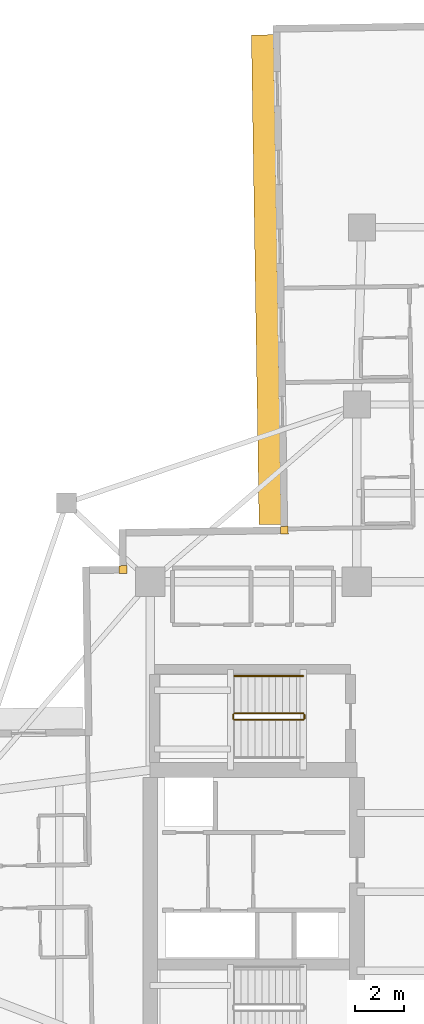
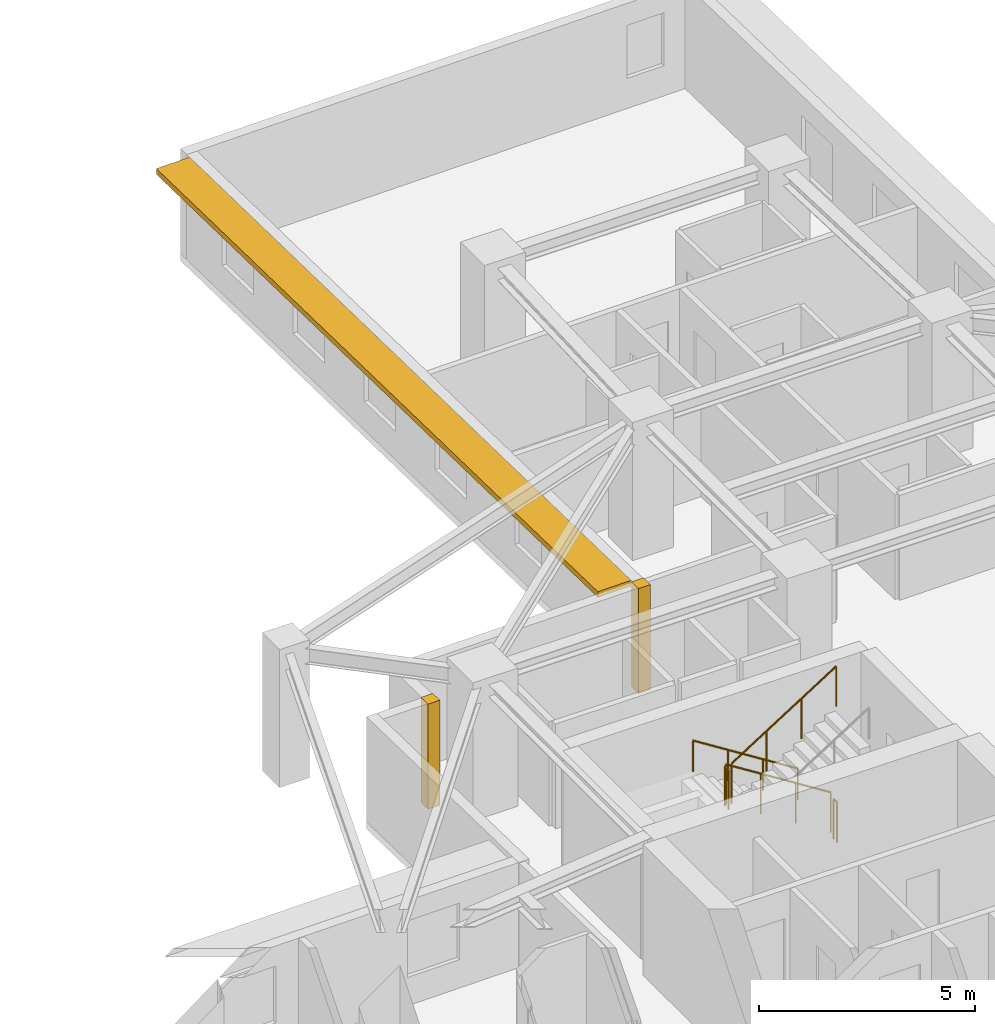
# One storey, part 13 of 14: 5 railings, 2 coverings, 1 shading device.
"""IFC4 building model written with IfcOpenShell, lengths in metres."""

import ifcopenshell
import ifcopenshell.guid

model = None  # the IFC model being written
_history = None  # IfcOwnerHistory: only IFC2X3 demands one
_inside = {}  # id of a spatial element -> (the spatial element, [elements in it])
_under = {}  # id of a project, library or spatial element -> (it, [spatial elements below it])
_declared = {}  # id of a project -> (the project, [libraries it declares])
_typed = {}  # id of a type object -> (the type object, [elements of that type])
_made_of = {}  # id of a material, layer set ... -> (it, [elements and type objects made of it])


def new_model(schema):
    """Start an empty IFC model of exactly this schema.

    Asked for "IFC4X3", IfcOpenShell would pick the latest addendum, in which some entities
    have other attributes; the version numbers below select the first issue.
    IFC2X3 requires an IfcOwnerHistory on every rooted entity: one is made here for all.
    """
    global model, _history
    if schema == "IFC4X3":
        model = ifcopenshell.file(schema_version=(4, 3, 0, 0))
    else:
        model = ifcopenshell.file(schema=schema)
    _inside.clear()
    _under.clear()
    _declared.clear()
    _typed.clear()
    _made_of.clear()
    _history = None
    if model.schema == "IFC2X3":
        org = make("IfcOrganization", Name="unknown")
        user = make(
            "IfcPersonAndOrganization",
            ThePerson=make("IfcPerson", FamilyName="unknown"),
            TheOrganization=org,
        )
        app = make(
            "IfcApplication",
            ApplicationDeveloper=org,
            Version="unknown",
            ApplicationFullName="unknown",
            ApplicationIdentifier="unknown",
        )
        _history = make(
            "IfcOwnerHistory",
            OwningUser=user,
            OwningApplication=app,
            ChangeAction="ADDED",
            CreationDate=0,
        )
    return model


def make(cls, **values):
    """One entity of the class cls with the attributes given. An attribute that is None is left unset."""
    return model.create_entity(
        cls, **{name: value for name, value in values.items() if value is not None}
    )


def rooted(cls, **values):
    """An entity with a GlobalId (a new one), such as an element, a storey or a relation."""
    return make(cls, GlobalId=ifcopenshell.guid.new(), OwnerHistory=_history, **values)


def si_unit(unit_type, name, prefix=None):
    """IfcSIUnit, for example si_unit("LENGTHUNIT", "METRE", prefix="MILLI")."""
    return make("IfcSIUnit", UnitType=unit_type, Prefix=prefix, Name=name)


def assignment(units):
    """IfcUnitAssignment: the units of a project."""
    return None if units is None else make("IfcUnitAssignment", Units=units)


def point(xyz):
    """IfcCartesianPoint."""
    return None if xyz is None else make("IfcCartesianPoint", Coordinates=xyz)


def direction(xyz):
    """IfcDirection."""
    return None if xyz is None else make("IfcDirection", DirectionRatios=xyz)


def frame(location, z_axis=None, x_axis=None):
    """IfcAxis2Placement3D, a coordinate frame: its origin and axes. An axis left out is left unset."""
    return make(
        "IfcAxis2Placement3D",
        Location=point(location),
        Axis=direction(z_axis),
        RefDirection=direction(x_axis),
    )


def frame_2d(location, x_axis=None):
    """IfcAxis2Placement2D, a coordinate frame in the plane: its origin and x axis."""
    return make(
        "IfcAxis2Placement2D", Location=point(location), RefDirection=direction(x_axis)
    )


def origin():
    """The frame at (0, 0, 0) with its axes left unset."""
    return frame((0.0, 0.0, 0.0))


def origin_2d():
    """The frame at (0, 0) in the plane with its x axis left unset."""
    return frame_2d((0.0, 0.0))


def place(relative_to, where):
    """IfcLocalPlacement: puts the frame where relative to a parent placement (None: the world)."""
    return make(
        "IfcLocalPlacement", PlacementRelTo=relative_to, RelativePlacement=where
    )


def context(
    kind, dimensions, precision=None, world=None, true_north=None, identifier=None
):
    """IfcGeometricRepresentationContext, for example the 3D "Model" context."""
    return make(
        "IfcGeometricRepresentationContext",
        ContextIdentifier=identifier,
        ContextType=kind,
        CoordinateSpaceDimension=dimensions,
        Precision=precision,
        WorldCoordinateSystem=world,
        TrueNorth=true_north,
    )


def subcontext(parent, identifier, kind, view, scale=None):
    """IfcGeometricRepresentationSubContext, for example "Body" below "Model"."""
    return make(
        "IfcGeometricRepresentationSubContext",
        ContextIdentifier=identifier,
        ContextType=kind,
        ParentContext=parent,
        TargetScale=scale,
        TargetView=view,
    )


def project(units=None, contexts=None):
    """IfcProject with its units and contexts."""
    return rooted(
        "IfcProject",
        Name="project",
        RepresentationContexts=contexts,
        UnitsInContext=assignment(units),
    )


def spatial(cls, under=None, at=None, **own):
    """A site, building, storey or space (cls), placed at a placement, below another one or the project."""
    s = rooted(cls, ObjectPlacement=at, **own)
    if under is not None:
        _under.setdefault(under.id(), (under, []))[1].append(s)
    return s


def profile(cls, at=None, kind="AREA", **sizes):
    """A parametric profile (cls). Its sizes go by their IFC names, for example OverallWidth=200.0."""
    return make(cls, ProfileType=kind, Position=at, **sizes)


def rectangle(**sizes):
    """IfcRectangleProfileDef."""
    return profile("IfcRectangleProfileDef", **sizes)


def circle(**sizes):
    """IfcCircleProfileDef."""
    return profile("IfcCircleProfileDef", **sizes)


def extrude(swept, where, along, depth):
    """IfcExtrudedAreaSolid: the profile swept, set in the frame where, extruded along a direction by depth."""
    return make(
        "IfcExtrudedAreaSolid",
        SweptArea=swept,
        Position=where,
        ExtrudedDirection=direction(along),
        Depth=depth,
    )


def shape(context_of_items, identifier, shape_type, items):
    """IfcShapeRepresentation: the items that make up one representation, for example the "Body"."""
    return make(
        "IfcShapeRepresentation",
        ContextOfItems=context_of_items,
        RepresentationIdentifier=identifier,
        RepresentationType=shape_type,
        Items=items,
    )


def material(Name=None, Category=None):
    """IfcMaterial."""
    return make("IfcMaterial", Name=Name, Category=Category)


def layer(
    of_material, thickness, ventilated=None, Name=None, Category=None, Priority=None
):
    """IfcMaterialLayer: one layer of a wall or slab, of a material (None: an air gap)."""
    return make(
        "IfcMaterialLayer",
        Material=of_material,
        LayerThickness=thickness,
        IsVentilated=ventilated,
        Name=Name,
        Category=Category,
        Priority=Priority,
    )


def layer_set(layers, Name=None):
    """IfcMaterialLayerSet."""
    return make("IfcMaterialLayerSet", MaterialLayers=layers, LayerSetName=Name)


def made_of(thing, what):
    """Note that an element or type object is made of a material, layer set ...; save() writes the relation."""
    if what is not None:
        _made_of.setdefault(what.id(), (what, []))[1].append(thing)
    return thing


def type_object(cls, material=None, **own):
    """A type object (cls), such as IfcWallType, which elements share."""
    return made_of(rooted(cls, **own), material)


def element(
    cls,
    number,
    at=None,
    inside=None,
    cuts=None,
    type_object=None,
    material=None,
    context=None,
    identifier="Body",
    shape_type=None,
    held_by="IfcProductDefinitionShape",
    body=None,
    shapes=None,
    **own,
):
    """One element of the class cls, such as IfcWall. Its Tag is "e" and its number.

    at: its placement. inside: the storey or other place that contains it. cuts: it is an
    opening in that element (IfcRelVoidsElement). A single representation is given by context,
    identifier, shape_type and body (its items); several are given by shapes. held_by: the class
    of the entity that holds the representations. save() writes the other relations.
    """
    e = rooted(cls, Tag="e%d" % number, ObjectPlacement=at, **own)
    if body is not None:
        shapes = [shape(context, identifier, shape_type, body)]
    if shapes is not None:
        e.Representation = make(held_by, Representations=shapes)
    if inside is not None:
        _inside.setdefault(inside.id(), (inside, []))[1].append(e)
    if cuts is not None:
        rooted(
            "IfcRelVoidsElement", RelatingBuildingElement=cuts, RelatedOpeningElement=e
        )
    if type_object is not None:
        _typed.setdefault(type_object.id(), (type_object, []))[1].append(e)
    return made_of(e, material)


def aggregate(whole, parts):
    """IfcRelAggregates: a whole, such as a stair, and the parts it consists of."""
    return rooted("IfcRelAggregates", RelatingObject=whole, RelatedObjects=parts)


def save(model, path):
    """Write the relations noted so far, then the file.

    IfcRelAggregates (storeys below a building ...), IfcRelContainedInSpatialStructure (elements
    in a storey), IfcRelDefinesByType, IfcRelAssociatesMaterial and IfcRelDeclares: one each for
    every whole, place, type object, material and project.
    """
    for whole, parts in _under.values():
        aggregate(whole, parts)
    for where, things in _inside.values():
        rooted(
            "IfcRelContainedInSpatialStructure",
            RelatedElements=things,
            RelatingStructure=where,
        )
    for kind, things in _typed.values():
        rooted("IfcRelDefinesByType", RelatedObjects=things, RelatingType=kind)
    for what, things in _made_of.values():
        rooted("IfcRelAssociatesMaterial", RelatedObjects=things, RelatingMaterial=what)
    for by, libraries in _declared.values():
        rooted("IfcRelDeclares", RelatingContext=by, RelatedDefinitions=libraries)
    model.write(path)


model = new_model("IFC4")

# Units and contexts
model_context = context("Model", 3, precision=1e-05, world=origin(), true_north=direction((0.0, 1.0)))
body_context = subcontext(model_context, "Body", "Model", "MODEL_VIEW")
ifc_project = project(units=[si_unit("LENGTHUNIT", "METRE"), si_unit("AREAUNIT", "SQUARE_METRE"), si_unit("VOLUMEUNIT", "CUBIC_METRE"), si_unit("PLANEANGLEUNIT", "RADIAN"), si_unit("MASSUNIT", "GRAM", prefix="KILO")], contexts=[model_context])

# Site, building, storey
site_placement = place(None, origin())
site = spatial("IfcSite", under=ifc_project, at=site_placement, CompositionType="ELEMENT")
building_placement = place(site_placement, origin())
building = spatial("IfcBuilding", under=site, at=building_placement, Name="Qingluan Cross Belvedere", CompositionType="ELEMENT")
storey_placement = place(building_placement, frame((0.0, 0.0, 108.60009765625)))
storey = spatial("IfcBuildingStorey", under=building, at=storey_placement, Name="L27", CompositionType="ELEMENT", Elevation=108.60009765625)

# Coverings
ifc_material_1 = material(Name="Precast concrete C45", Category="concrete")
ifc_layer_1 = layer(ifc_material_1, 0.1201171875, Name="ConcreteSpandrelCladding_120")
ifc_layer_set_1 = layer_set([ifc_layer_1], Name="Precast concrete C45")
covering_type = type_object("IfcCoveringType", Name="ConcreteSpandrelCladding_120", PredefinedType="CLADDING", material=ifc_layer_set_1)
for number, where, z_axis, x_axis, name in (
    (1, (-13.50732421875, 13.089599609375, 0.0), (0.0, 0.0, 1.0), (0.999876632482, 0.015707317312, 0.0), "Corner closure L27-NW1"),
    (2, (-6.95166015625, 14.692626953125, 0.0), (0.0, 0.0, 1.0), (0.999876632482, 0.015707317312, 0.0), "Corner closure L27-NW2"),
):
    element("IfcCovering", number, at=place(storey_placement, frame(where, z_axis=z_axis, x_axis=x_axis)), inside=storey, type_object=covering_type, Name=name, PredefinedType="CLADDING", context=body_context, shape_type="SweptSolid", body=[
        extrude(rectangle(XDim=0.320068359375, YDim=0.320068359375, at=origin_2d()), origin(), (0.0, 0.0, 1.0), 2.969970703125),
    ])

# Shading device
ifc_material_2 = material(Name="Precast concrete C45", Category="concrete")
ifc_layer_2 = layer(ifc_material_2, 0.159912109375, Name="ConcreteSunshadeBand_900")
ifc_layer_set_2 = layer_set([ifc_layer_2], Name="Precast concrete C45")
shading_device_type = type_object("IfcShadingDeviceType", Name="ConcreteSunshadeBand_900", PredefinedType="USERDEFINED", material=ifc_layer_set_2)
shading_device_placement = place(storey_placement, frame((-7.681640625, 24.872314453125, 2.7900390625), z_axis=(0.0, 0.0, 1.0), x_axis=(0.015711457647, -0.999876567432, 0.0)))
element("IfcShadingDevice", 3, at=shading_device_placement, inside=storey, type_object=shading_device_type, Name="Concrete SUNSHADE L27-NB", ObjectType="SUNSHADE", PredefinedType="USERDEFINED", context=body_context, shape_type="SweptSolid", body=[
    extrude(rectangle(XDim=19.89990234375, YDim=0.89990234375, at=origin_2d()), origin(), (0.0, 0.0, 1.0), 0.159912109375),
])

# Railings
ifc_material_3 = material(Name="Brushed stainless steel tubular handrail", Category="steel")
railing_type_1 = type_object("IfcRailingType", Name="StairPitchHandrail_900", PredefinedType="HANDRAIL", material=ifc_material_3)
railing_1_placement = place(storey_placement, frame((-6.179931640625, 8.77001953125, 0.17724609375)))
element("IfcRailing", 4, at=railing_1_placement, inside=storey, type_object=railing_type_1, Name="L27 ST3 stair handrail 1", PredefinedType="HANDRAIL", context=body_context, shape_type="SweptSolid", body=[
    extrude(circle(Radius=0.02392578125, at=origin_2d()), frame((0.0, 0.0, 0.8759765625), z_axis=(-0.844908973607, 0.0, 0.534910110503), x_axis=(0.0, -1.0, 0.0)), (0.0, 0.0, 1.0), 3.31396484375),
    extrude(circle(Radius=0.02099609375, at=origin_2d()), origin(), (0.0, 0.0, 1.0), 0.851806640625),
    extrude(circle(Radius=0.02099609375, at=origin_2d()), frame((-0.933349609375, 0.0, 0.5908203125)), (0.0, 0.0, 1.0), 0.851806640625),
    extrude(circle(Radius=0.02099609375, at=origin_2d()), frame((-1.86669921875, 0.0, 1.181884765625)), (0.0, 0.0, 1.0), 0.851806640625),
    extrude(circle(Radius=0.02099609375, at=origin_2d()), frame((-2.800048828125, 0.0, 1.772705078125)), (0.0, 0.0, 1.0), 0.851806640625),
])
ifc_material_4 = material(Name="Painted steel stair well guard", Category="steel")
railing_type_2 = type_object("IfcRailingType", Name="StairWellGuard_1150", PredefinedType="BALUSTRADE", material=ifc_material_4)
railing_2_placement = place(storey_placement, frame((-6.179931640625, 7.25, 0.17724609375)))
element("IfcRailing", 5, at=railing_2_placement, inside=storey, type_object=railing_type_2, Name="L27 ST3 stair guard 1", PredefinedType="BALUSTRADE", context=body_context, shape_type="SweptSolid", body=[
    extrude(circle(Radius=0.02392578125, at=origin_2d()), frame((0.0, 0.0, 1.1259765625), z_axis=(-0.844908973607, 0.0, 0.534910110503), x_axis=(0.0, -1.0, 0.0)), (0.0, 0.0, 1.0), 3.31396484375),
    extrude(circle(Radius=0.02099609375, at=origin_2d()), origin(), (0.0, 0.0, 1.0), 1.101806640625),
    extrude(circle(Radius=0.02099609375, at=origin_2d()), frame((-0.933349609375, 0.0, 0.5908203125)), (0.0, 0.0, 1.0), 1.101806640625),
    extrude(circle(Radius=0.02099609375, at=origin_2d()), frame((-1.86669921875, 0.0, 1.181884765625)), (0.0, 0.0, 1.0), 1.101806640625),
    extrude(circle(Radius=0.02099609375, at=origin_2d()), frame((-2.800048828125, 0.0, 1.772705078125)), (0.0, 0.0, 1.0), 1.101806640625),
])
railing_3_placement = place(storey_placement, frame((-9.030029296875, 7.199951171875, 1.949951171875)))
element("IfcRailing", 6, at=railing_3_placement, inside=storey, type_object=railing_type_2, Name="L27 ST3 stair guard 2", PredefinedType="BALUSTRADE", context=body_context, shape_type="SweptSolid", body=[
    extrude(circle(Radius=0.02392578125, at=origin_2d()), frame((0.0, 0.0, 1.1259765625), z_axis=(0.0, -1.0, 0.0), x_axis=(1.0, 0.0, 0.0)), (0.0, 0.0, 1.0), 0.159912109375),
    extrude(circle(Radius=0.02099609375, at=origin_2d()), origin(), (0.0, 0.0, 1.0), 1.101806640625),
    extrude(circle(Radius=0.02099609375, at=origin_2d()), frame((0.0, -0.159912109375, 0.0)), (0.0, 0.0, 1.0), 1.101806640625),
])
railing_4_placement = place(storey_placement, frame((-8.97998046875, 6.989990234375, 2.127197265625)))
element("IfcRailing", 7, at=railing_4_placement, inside=storey, type_object=railing_type_2, Name="L27 ST3 stair guard 3", PredefinedType="BALUSTRADE", context=body_context, shape_type="SweptSolid", body=[
    extrude(circle(Radius=0.02392578125, at=origin_2d()), frame((0.0, 0.0, 1.1259765625), z_axis=(0.844908973607, 0.0, 0.534910110503), x_axis=(0.0, 1.0, 0.0)), (0.0, 0.0, 1.0), 3.31396484375),
    extrude(circle(Radius=0.02099609375, at=origin_2d()), origin(), (0.0, 0.0, 1.0), 1.101806640625),
    extrude(circle(Radius=0.02099609375, at=origin_2d()), frame((0.933349609375, 0.0, 0.5908203125)), (0.0, 0.0, 1.0), 1.101806640625),
    extrude(circle(Radius=0.02099609375, at=origin_2d()), frame((1.86669921875, 0.0, 1.181884765625)), (0.0, 0.0, 1.0), 1.101806640625),
    extrude(circle(Radius=0.02099609375, at=origin_2d()), frame((2.800048828125, 0.0, 1.772705078125)), (0.0, 0.0, 1.0), 1.101806640625),
])
railing_5_placement = place(storey_placement, frame((-6.1298828125, 7.199951171875, 0.0)))
element("IfcRailing", 8, at=railing_5_placement, inside=storey, type_object=railing_type_2, Name="L27 ST3 stair guard 4", PredefinedType="BALUSTRADE", context=body_context, shape_type="SweptSolid", body=[
    extrude(circle(Radius=0.02392578125, at=origin_2d()), frame((0.0, 0.0, 1.1259765625), z_axis=(0.0, -1.0, 0.0), x_axis=(1.0, 0.0, 0.0)), (0.0, 0.0, 1.0), 0.159912109375),
    extrude(circle(Radius=0.02099609375, at=origin_2d()), origin(), (0.0, 0.0, 1.0), 1.101806640625),
    extrude(circle(Radius=0.02099609375, at=origin_2d()), frame((0.0, -0.159912109375, 0.0)), (0.0, 0.0, 1.0), 1.101806640625),
])

save(model, "model.ifc")
